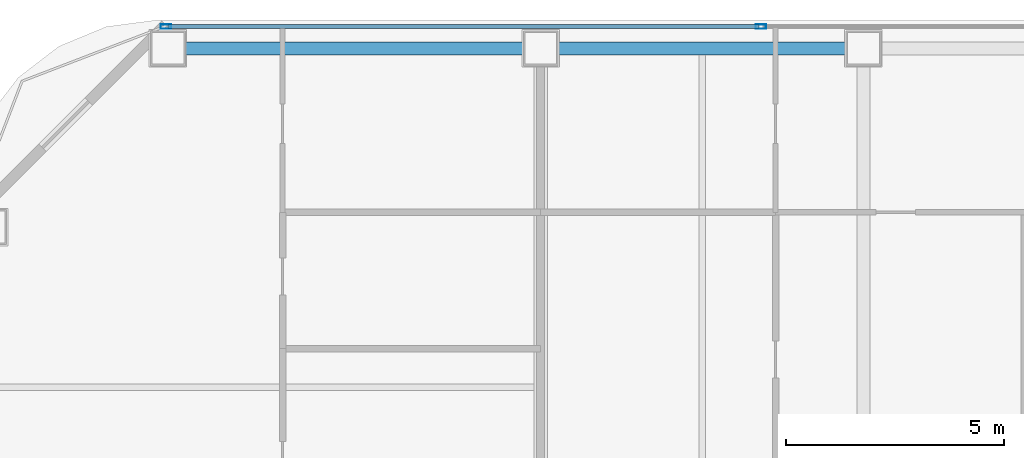
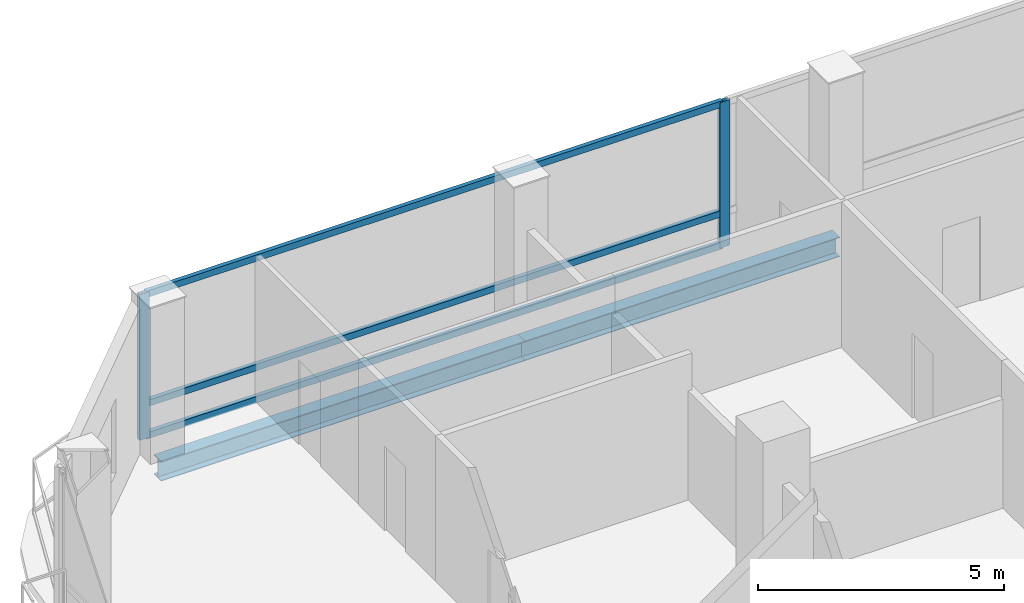
# One storey, part 15 of 28: 5 members, 2 beams, 1 element without a shape of its own.
"""IFC4 building model written with IfcOpenShell, lengths in metres."""

from ifc_helpers import new_model, si_unit, direction, frame, origin, origin_2d, place, context, subcontext, project, spatial, hollow_rectangle, i_section, extrude, material, layer, layer_set, material_profile, profile_set, type_object, element, aggregate, save


model = new_model("IFC4")

# Units and contexts
model_context = context("Model", 3, precision=1e-05, world=origin(), true_north=direction((0.0, 1.0)))
body_context = subcontext(model_context, "Body", "Model", "MODEL_VIEW")
ifc_project = project(units=[si_unit("LENGTHUNIT", "METRE"), si_unit("AREAUNIT", "SQUARE_METRE"), si_unit("VOLUMEUNIT", "CUBIC_METRE"), si_unit("PLANEANGLEUNIT", "RADIAN"), si_unit("MASSUNIT", "GRAM", prefix="KILO")], contexts=[model_context])

# Site, building, storey
site_placement = place(None, origin())
site = spatial("IfcSite", under=ifc_project, at=site_placement, CompositionType="ELEMENT")
building_placement = place(site_placement, origin())
building = spatial("IfcBuilding", under=site, at=building_placement, Name="Khorvyn Point Tower", CompositionType="ELEMENT")
storey_placement = place(building_placement, frame((0.0, 0.0, 104.699951171875)))
storey = spatial("IfcBuildingStorey", under=building, at=storey_placement, Name="L26", CompositionType="ELEMENT", Elevation=104.699951171875)

# Curtain wall, members
ifc_material_1 = material(Name="Anodised aluminium 6063-T6 and laminated Low-E glass", Category="aluminium")
ifc_layer = layer(ifc_material_1, 0.18994140625)
ifc_layer_set = layer_set([ifc_layer], Name="Stick-Built Finned Residential Curtain Wall CW-SYS-02")
curtain_wall_type = type_object("IfcCurtainWallType", Name="Stick-Built Finned Residential Curtain Wall CW-SYS-02", PredefinedType="NOTDEFINED", material=ifc_layer_set)
curtain_wall_placement = place(storey_placement, origin())
curtain_wall = element("IfcCurtainWall", 1, at=curtain_wall_placement, inside=storey, type_object=curtain_wall_type, Name="Curtain Wall", PredefinedType="NOTDEFINED")
ifc_material_2 = material(Name="Anodised aluminium 6063-T6", Category="aluminium")
ifc_material_profile_1 = material_profile(ifc_material_2, hollow_rectangle(XDim=0.10009765625, YDim=0.239990234375, WallThickness=0.0048828125, at=origin_2d()))
ifc_profile_set_1 = profile_set([ifc_material_profile_1], Name="Anodised aluminium 6063-T6 ALU-MUL-100x240")
member_type_1 = type_object("IfcMemberType", Name="Anodised Aluminium 6063-T6 Mullion ALU-MUL-100x240", PredefinedType="MULLION", material=ifc_profile_set_1)
member_1_placement = place(storey_placement, frame((-23.39990234375, 30.85009765625, 0.0), z_axis=(0.0, 0.0, 1.0), x_axis=(0.0, 1.0, 0.0)))
member_1 = element("IfcMember", 2, at=member_1_placement, type_object=member_type_1, Name="Transom", PredefinedType="MULLION", context=body_context, shape_type="SweptSolid", body=[
    extrude(hollow_rectangle(XDim=0.10009765625, YDim=0.239990234375, WallThickness=0.0048828125, at=origin_2d()), origin(), (0.0, 0.0, 1.0), 3.6201171875),
])
member_2_placement = place(storey_placement, frame((-9.75, 30.85009765625, 0.0), z_axis=(0.0, 0.0, 1.0), x_axis=(0.0, 1.0, 0.0)))
member_2 = element("IfcMember", 3, at=member_2_placement, type_object=member_type_1, Name="Transom", PredefinedType="MULLION", context=body_context, shape_type="SweptSolid", body=[
    extrude(hollow_rectangle(XDim=0.10009765625, YDim=0.239990234375, WallThickness=0.0048828125, at=origin_2d()), origin(), (0.0, 0.0, 1.0), 3.6201171875),
])
ifc_material_profile_2 = material_profile(ifc_material_2, hollow_rectangle(XDim=0.10009765625, YDim=0.159912109375, WallThickness=0.00439453125, at=origin_2d()))
ifc_profile_set_2 = profile_set([ifc_material_profile_2], Name="Anodised aluminium 6063-T6 ALU-TRN-100x160")
member_type_2 = type_object("IfcMemberType", Name="Anodised Aluminium 6063-T6 Transom ALU-TRN-100x160", PredefinedType="USERDEFINED", material=ifc_profile_set_2)
member_3_placement = place(storey_placement, frame((-23.35009765625, 30.85009765625, 0.050048828125), z_axis=(1.0, 0.0, 0.0), x_axis=(0.0, 1.0, 0.0)))
member_3 = element("IfcMember", 4, at=member_3_placement, type_object=member_type_2, Name="Transom", ObjectType="TRANSOM", PredefinedType="USERDEFINED", context=body_context, shape_type="SweptSolid", body=[
    extrude(hollow_rectangle(XDim=0.10009765625, YDim=0.159912109375, WallThickness=0.00439453125, at=origin_2d()), origin(), (0.0, 0.0, 1.0), 13.550048828125),
])
member_4_placement = place(storey_placement, frame((-23.35009765625, 30.85009765625, 0.85009765625), z_axis=(1.0, 0.0, 0.0), x_axis=(0.0, 1.0, 0.0)))
member_4 = element("IfcMember", 5, at=member_4_placement, type_object=member_type_2, Name="Transom", ObjectType="TRANSOM", PredefinedType="USERDEFINED", context=body_context, shape_type="SweptSolid", body=[
    extrude(hollow_rectangle(XDim=0.10009765625, YDim=0.159912109375, WallThickness=0.00439453125, at=origin_2d()), origin(), (0.0, 0.0, 1.0), 13.550048828125),
])
member_5_placement = place(storey_placement, frame((-23.35009765625, 30.85009765625, 3.570068359375), z_axis=(1.0, 0.0, 0.0), x_axis=(0.0, 1.0, 0.0)))
member_5 = element("IfcMember", 6, at=member_5_placement, type_object=member_type_2, Name="Transom", ObjectType="TRANSOM", PredefinedType="USERDEFINED", context=body_context, shape_type="SweptSolid", body=[
    extrude(hollow_rectangle(XDim=0.10009765625, YDim=0.159912109375, WallThickness=0.00439453125, at=origin_2d()), origin(), (0.0, 0.0, 1.0), 13.550048828125),
])
aggregate(curtain_wall, [member_1, member_2, member_3, member_4, member_5])

# Beams
ifc_material_3 = material(Name="Steel S355", Category="steel")
ifc_material_profile_3 = material_profile(ifc_material_3, i_section(OverallWidth=0.300048828125, OverallDepth=0.488037109375, WebThickness=0.010986328125, FlangeThickness=0.01806640625, at=origin_2d()))
ifc_profile_set_3 = profile_set([ifc_material_profile_3], Name="Steel S355 H488x300x11x18")
beam_type = type_object("IfcBeamType", Name="Steel S355 Spandrel H488x300x11x18", PredefinedType="SPANDREL", material=ifc_profile_set_3)
beam_1_placement = place(storey_placement, frame((-23.35009765625, 30.35009765625, -0.4638671875), z_axis=(1.0, 0.0, 0.0), x_axis=(0.0, 1.0, 0.0)))
element("IfcBeam", 7, at=beam_1_placement, inside=storey, type_object=beam_type, Name="Beam", PredefinedType="SPANDREL", context=body_context, shape_type="SweptSolid", body=[
    extrude(i_section(OverallWidth=0.300048828125, OverallDepth=0.488037109375, WebThickness=0.010986328125, FlangeThickness=0.01806640625, at=origin_2d()), origin(), (0.0, 0.0, 1.0), 8.550048828125),
])
beam_2_placement = place(storey_placement, frame((-14.800048828125, 30.35009765625, -0.4638671875), z_axis=(1.0, 0.0, 0.0), x_axis=(0.0, 1.0, 0.0)))
element("IfcBeam", 8, at=beam_2_placement, inside=storey, type_object=beam_type, Name="Beam", PredefinedType="SPANDREL", context=body_context, shape_type="SweptSolid", body=[
    extrude(i_section(OverallWidth=0.300048828125, OverallDepth=0.488037109375, WebThickness=0.010986328125, FlangeThickness=0.01806640625, at=origin_2d()), origin(), (0.0, 0.0, 1.0), 7.400146484375),
])

save(model, "model.ifc")
